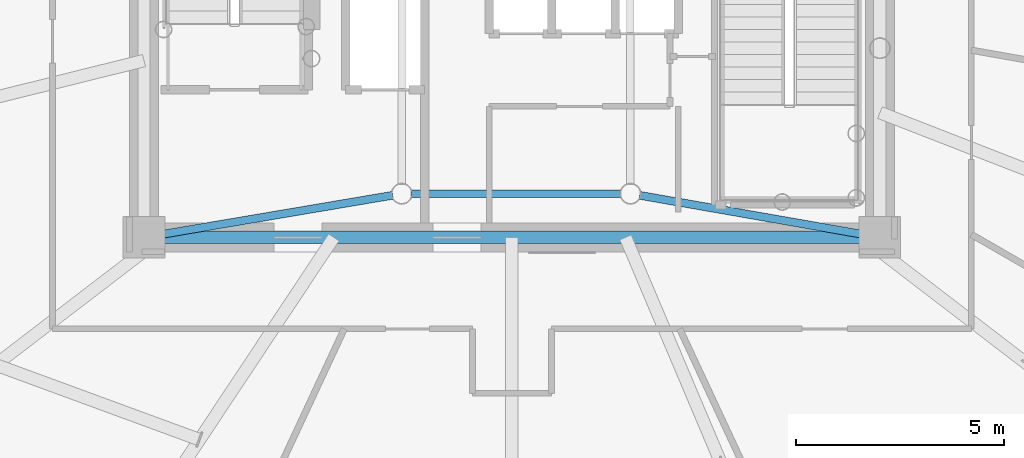
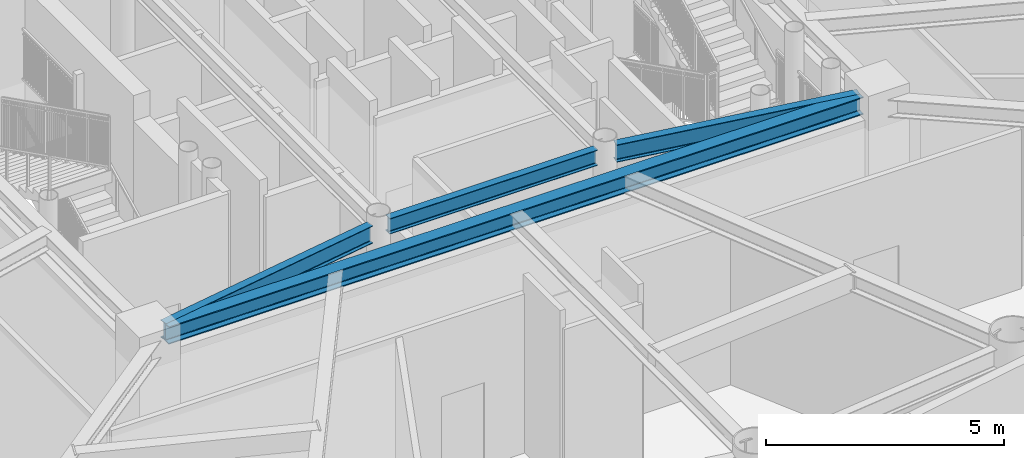
# One storey, part 9 of 32: 4 beams.
"""IFC4 building model written with IfcOpenShell, lengths in metres."""

from ifc_helpers import new_model, si_unit, direction, frame, origin, origin_2d, place, context, subcontext, project, spatial, i_section, extrude, material, material_profile, profile_set, type_object, element, save


model = new_model("IFC4")

# Units and contexts
model_context = context("Model", 3, precision=1e-05, world=origin(), true_north=direction((0.0, 1.0)))
body_context = subcontext(model_context, "Body", "Model", "MODEL_VIEW")
ifc_project = project(units=[si_unit("LENGTHUNIT", "METRE"), si_unit("AREAUNIT", "SQUARE_METRE"), si_unit("VOLUMEUNIT", "CUBIC_METRE"), si_unit("PLANEANGLEUNIT", "RADIAN"), si_unit("MASSUNIT", "GRAM", prefix="KILO")], contexts=[model_context])

# Site, building, storey
site_placement = place(None, origin())
site = spatial("IfcSite", under=ifc_project, at=site_placement, CompositionType="ELEMENT")
building_placement = place(site_placement, origin())
building = spatial("IfcBuilding", under=site, at=building_placement, Name="Linh Dai School and Residence Tower", CompositionType="ELEMENT")
storey_placement = place(building_placement, frame((0.0, 0.0, 268.199951171875)))
storey = spatial("IfcBuildingStorey", under=building, at=storey_placement, Name="L66", CompositionType="ELEMENT", Elevation=268.199951171875)

# Beams
ifc_material = material(Name="Structural Steel S355JR", Category="steel")
ifc_material_profile_1 = material_profile(ifc_material, i_section(OverallWidth=0.300048828125, OverallDepth=0.449951171875, WebThickness=0.013916015625, FlangeThickness=0.02587890625, FilletRadius=0.027099609375, at=origin_2d()), Name="HEB 450")
ifc_profile_set_1 = profile_set([ifc_material_profile_1], Name="Structural Steel S355JR")
beam_type_1 = type_object("IfcBeamType", Name="BM-RG45", PredefinedType="BEAM", material=ifc_profile_set_1)
beam_1_placement = place(storey_placement, frame((27.570068359375, 20.550048828125, 4.324951171875), z_axis=(1.0, 0.0, 0.0), x_axis=(0.0, 1.0, 0.0)))
element("IfcBeam", 1, at=beam_1_placement, inside=storey, type_object=beam_type_1, Name="L66 Core Perimeter Coupling Girder 1", PredefinedType="BEAM", context=body_context, shape_type="SweptSolid", body=[
    extrude(i_section(OverallWidth=0.300048828125, OverallDepth=0.449951171875, WebThickness=0.013916015625, FlangeThickness=0.02587890625, FilletRadius=0.027099609375, at=origin_2d()), origin(), (0.0, 0.0, 1.0), 16.85986328125),
])
ifc_material_profile_2 = material_profile(ifc_material, i_section(OverallWidth=0.179931640625, OverallDepth=0.39990234375, WebThickness=0.008544921875, FlangeThickness=0.013427734375, FilletRadius=0.02099609375, at=origin_2d()), Name="IPE 400")
ifc_profile_set_2 = profile_set([ifc_material_profile_2], Name="Structural Steel S355JR")
beam_type_2 = type_object("IfcBeamType", Name="BM-SB40", PredefinedType="BEAM", material=ifc_profile_set_2)
beam_2_placement = place(storey_placement, frame((33.573974609375, 21.60009765625, 4.35009765625), z_axis=(1.0, 0.0, 0.0), x_axis=(0.0, 1.0, 0.0)))
element("IfcBeam", 2, at=beam_2_placement, inside=storey, type_object=beam_type_2, Name="L66 Core Mast Pier Tie Beam 1", PredefinedType="BEAM", context=body_context, shape_type="SweptSolid", body=[
    extrude(i_section(OverallWidth=0.179931640625, OverallDepth=0.39990234375, WebThickness=0.008544921875, FlangeThickness=0.013427734375, FilletRadius=0.02099609375, at=origin_2d()), origin(), (0.0, 0.0, 1.0), 5.052001953125),
])
ifc_material_profile_3 = material_profile(ifc_material, i_section(OverallWidth=0.18994140625, OverallDepth=0.449951171875, WebThickness=0.009521484375, FlangeThickness=0.0146484375, FilletRadius=0.02099609375, at=origin_2d()), Name="IPE 450")
ifc_profile_set_3 = profile_set([ifc_material_profile_3], Name="Structural Steel S355JR")
beam_type_3 = type_object("IfcBeamType", Name="BM-SB45", PredefinedType="BEAM", material=ifc_profile_set_3)
beam_3_placement = place(storey_placement, frame((27.564208984375, 20.6201171875, 4.324951171875), z_axis=(0.98596270559, 0.166965694638, 0.0), x_axis=(-0.166965694638, 0.98596270559, 0.0)))
element("IfcBeam", 3, at=beam_3_placement, inside=storey, type_object=beam_type_3, Name="L66 Core Corner-to-Mast Pier Beam 1", PredefinedType="BEAM", context=body_context, shape_type="SweptSolid", body=[
    extrude(i_section(OverallWidth=0.18994140625, OverallDepth=0.449951171875, WebThickness=0.009521484375, FlangeThickness=0.0146484375, FilletRadius=0.02099609375, at=origin_2d()), origin(), (0.0, 0.0, 1.0), 5.644287109375),
])
beam_4_placement = place(storey_placement, frame((44.436279296875, 20.622314453125, 4.324951171875), z_axis=(-0.985031608673, 0.17237380867, 0.0), x_axis=(-0.17237380867, -0.985031608673, 0.0)))
element("IfcBeam", 4, at=beam_4_placement, inside=storey, type_object=beam_type_3, Name="L66 Core Corner-to-Mast Pier Beam 2", PredefinedType="BEAM", context=body_context, shape_type="SweptSolid", body=[
    extrude(i_section(OverallWidth=0.18994140625, OverallDepth=0.449951171875, WebThickness=0.009521484375, FlangeThickness=0.0146484375, FilletRadius=0.02099609375, at=origin_2d()), origin(), (0.0, 0.0, 1.0), 5.447265625),
])

save(model, "model.ifc")
